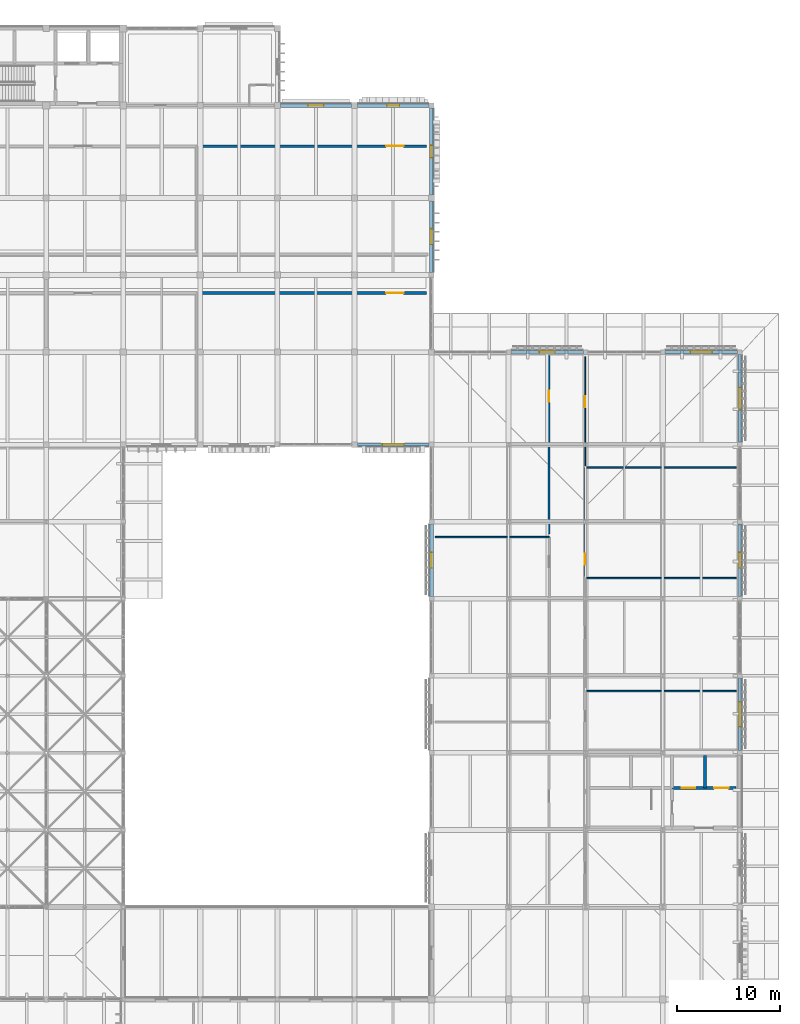
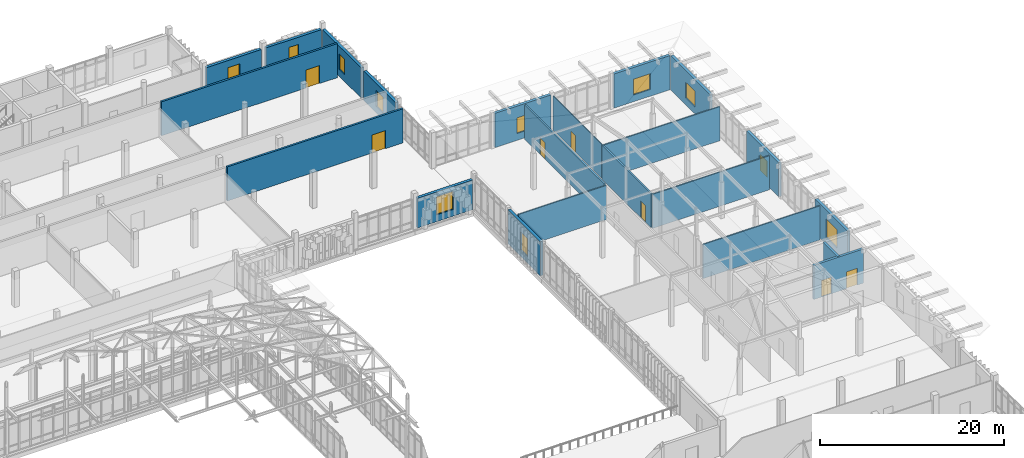
# One storey, part 109 of 131: 22 walls, 11 windows, 7 doors, 18 openings.
"""IFC4 building model written with IfcOpenShell, lengths in metres."""

from ifc_helpers import new_model, si_unit, direction, frame, frame_2d, origin, place, context, subcontext, project, spatial, rectangle, extrude, material, layer, layer_set, type_object, element, fill, save


model = new_model("IFC4")

# Units and contexts
model_context = context("Model", 3, precision=1e-05, world=origin(), true_north=direction((0.0, 1.0)))
body_context = subcontext(model_context, "Body", "Model", "MODEL_VIEW")
ifc_project = project(units=[si_unit("LENGTHUNIT", "METRE"), si_unit("AREAUNIT", "SQUARE_METRE"), si_unit("VOLUMEUNIT", "CUBIC_METRE"), si_unit("PLANEANGLEUNIT", "RADIAN"), si_unit("MASSUNIT", "GRAM", prefix="KILO")], contexts=[model_context])

# Site, building, storey
site_placement = place(None, origin())
site = spatial("IfcSite", under=ifc_project, at=site_placement, CompositionType="ELEMENT")
building_placement = place(site_placement, origin())
building = spatial("IfcBuilding", under=site, at=building_placement, Name="Dalvernix Boulevard General Hospital", CompositionType="ELEMENT")
storey_placement = place(building_placement, frame((0.0, 0.0, 9.300048828125)))
storey = spatial("IfcBuildingStorey", under=building, at=storey_placement, Name="L02", CompositionType="ELEMENT", Elevation=9.300048828125)

# Wall, openings, doors
ifc_material_1 = material(Name="Concrete C40/50", Category="concrete")
ifc_layer_1 = layer(ifc_material_1, 0.300048828125)
ifc_layer_set_1 = layer_set([ifc_layer_1], Name="Concrete C40/50 (WAL-CSW-02)")
wall_type_1 = type_object("IfcWallType", Name="WAL-CSW-02", PredefinedType="SHEAR", material=ifc_layer_set_1)
wall_1_placement = place(storey_placement, frame((165.89990234375, 43.10009765625, 0.0), z_axis=(0.0, 0.0, 1.0), x_axis=(1.0, 0.0, 0.0)))
wall_1 = element("IfcWall", 1, at=wall_1_placement, inside=storey, type_object=wall_type_1, Name="L02 C6 lift shaft front wall", PredefinedType="SHEAR", context=body_context, shape_type="SweptSolid", body=[
    extrude(rectangle(XDim=6.25, YDim=0.300048828125, at=frame_2d((3.125, 0.0))), origin(), (0.0, 0.0, 1.0), 4.550048828125),
])
opening_1_placement = place(wall_1_placement, frame((0.949951171875, 0.0, 0.0)))
opening_1 = element("IfcOpeningElement", 2, at=opening_1_placement, cuts=wall_1, Name="Opening LD-LF-06-L02", PredefinedType="OPENING", context=body_context, shape_type="SweptSolid", body=[
    extrude(rectangle(XDim=1.300048828125, YDim=2.199951171875, at=frame_2d((0.64990234375, 1.10009765625))), frame((0.0, 0.159912109375, 0.0), z_axis=(0.0, -1.0, 0.0), x_axis=(1.0, 0.0, 0.0)), (0.0, 0.0, 1.0), 0.320068359375),
])
opening_2_placement = place(wall_1_placement, frame((4.10009765625, 0.0, 0.0)))
opening_2 = element("IfcOpeningElement", 3, at=opening_2_placement, cuts=wall_1, Name="Opening LD-GL-02-L02", PredefinedType="OPENING", context=body_context, shape_type="SweptSolid", body=[
    extrude(rectangle(XDim=1.39990234375, YDim=2.25, at=frame_2d((0.699951171875, 1.125))), frame((0.0, 0.159912109375, 0.0), z_axis=(0.0, -1.0, 0.0), x_axis=(1.0, 0.0, 0.0)), (0.0, 0.0, 1.0), 0.320068359375),
])
ifc_material_2 = material(Name="Stainless-clad steel", Category="steel")
door_type_1 = type_object("IfcDoorType", Name="DR-LD-01", OperationType="DOUBLE_DOOR_SLIDING", PredefinedType="DOOR", material=ifc_material_2)
door_1_placement = place(opening_2_placement, origin())
door_1 = element("IfcDoor", 4, at=door_1_placement, inside=storey, type_object=door_type_1, Name="L02 Lift GL-02 sliding landing door", OperationType="DOUBLE_DOOR_SLIDING", OverallHeight=2.25, OverallWidth=1.39990234375, PredefinedType="DOOR", context=body_context, shape_type="SweptSolid", body=[
    extrude(rectangle(XDim=1.39990234375, YDim=2.25, at=frame_2d((0.699951171875, 1.125))), frame((0.0, 0.02490234375, 0.0), z_axis=(0.0, -1.0, 0.0), x_axis=(1.0, 0.0, 0.0)), (0.0, 0.0, 1.0), 0.050048828125),
])
fill(opening_2, door_1)
door_type_2 = type_object("IfcDoorType", Name="DR-LD-02", OperationType="DOUBLE_DOOR_SLIDING", PredefinedType="DOOR", material=ifc_material_2)
door_2_placement = place(opening_1_placement, origin())
door_2 = element("IfcDoor", 5, at=door_2_placement, inside=storey, type_object=door_type_2, Name="L02 Lift LF-06 sliding landing door", OperationType="DOUBLE_DOOR_SLIDING", OverallHeight=2.199951171875, OverallWidth=1.300048828125, PredefinedType="DOOR", context=body_context, shape_type="SweptSolid", body=[
    extrude(rectangle(XDim=1.300048828125, YDim=2.199951171875, at=frame_2d((0.64990234375, 1.10009765625))), frame((0.0, 0.02490234375, 0.0), z_axis=(0.0, -1.0, 0.0), x_axis=(1.0, 0.0, 0.0)), (0.0, 0.0, 1.0), 0.050048828125),
])
fill(opening_1, door_2)

# Wall
wall_2_placement = place(storey_placement, frame((169.10009765625, 43.10009765625, 0.0), z_axis=(0.0, 0.0, 1.0), x_axis=(0.0, 1.0, 0.0)))
element("IfcWall", 6, at=wall_2_placement, inside=storey, type_object=wall_type_1, Name="L02 C6 shaft divider L1", PredefinedType="SHEAR", context=body_context, shape_type="SweptSolid", body=[
    extrude(rectangle(XDim=3.14990234375, YDim=0.300048828125, at=frame_2d((1.574951171875, 0.0))), origin(), (0.0, 0.0, 1.0), 4.550048828125),
])

# Wall, opening, window
ifc_material_3 = material(Name="Pressed Catalan clay brick and insulated concrete cavity wall C35/45", Category="masonry")
ifc_layer_2 = layer(ifc_material_3, 0.35009765625)
ifc_layer_set_2 = layer_set([ifc_layer_2], Name="Pressed Catalan clay brick and insulated concrete cavity wall C35/45 (WAL-EW-01)")
wall_type_2 = type_object("IfcWallType", Name="WAL-EW-01", PredefinedType="STANDARD", material=ifc_layer_set_2)
wall_3_placement = place(storey_placement, frame((127.81005859375, 109.5, 0.0), z_axis=(0.0, 0.0, 1.0), x_axis=(1.0, 0.0, 0.0)))
wall_3 = element("IfcWall", 7, at=wall_3_placement, inside=storey, type_object=wall_type_2, Name="L02 Catalan brick external wall N 17-14", PredefinedType="STANDARD", context=body_context, shape_type="SweptSolid", body=[
    extrude(rectangle(XDim=6.8798828125, YDim=0.35009765625, at=frame_2d((3.43994140625, 0.0))), origin(), (0.0, 0.0, 1.0), 3.949951171875),
])
opening_3_placement = place(wall_3_placement, frame((2.68994140625, 0.0, 0.89990234375)))
opening_3 = element("IfcOpeningElement", 8, at=opening_3_placement, cuts=wall_3, Name="Opening WN-06", PredefinedType="OPENING", context=body_context, shape_type="SweptSolid", body=[
    extrude(rectangle(XDim=1.5, YDim=2.10009765625, at=frame_2d((0.75, 1.050048828125))), frame((0.0, 0.18505859375, 0.0), z_axis=(0.0, -1.0, 0.0), x_axis=(1.0, 0.0, 0.0)), (0.0, 0.0, 1.0), 0.3701171875),
])
ifc_material_4 = material(Name="Thermally broken aluminium frame with solar-control double glazing", Category="aluminium")
window_type_1 = type_object("IfcWindowType", Name="WIN-WN-06", PartitioningType="SINGLE_PANEL", PredefinedType="WINDOW", material=ifc_material_4)
window_1_placement = place(opening_3_placement, origin())
window_1 = element("IfcWindow", 9, at=window_1_placement, inside=storey, type_object=window_type_1, Name="L02 clinical window WN-06 N 17-14", OverallHeight=2.10009765625, OverallWidth=1.5, PartitioningType="SINGLE_PANEL", PredefinedType="WINDOW", context=body_context, shape_type="SweptSolid", body=[
    extrude(rectangle(XDim=1.5, YDim=2.10009765625, at=frame_2d((0.75, 1.050048828125))), frame((0.0, 0.030029296875, 0.0), z_axis=(0.0, -1.0, 0.0), x_axis=(1.0, 0.0, 0.0)), (0.0, 0.0, 1.0), 0.06005859375),
])
fill(opening_3, window_1)

wall_4_placement = place(storey_placement, frame((142.239990234375, 76.5, 0.0), z_axis=(0.0, 0.0, 1.0), x_axis=(-1.0, 0.0, 0.0)))
wall_4 = element("IfcWall", 10, at=wall_4_placement, inside=storey, type_object=wall_type_2, Name="L02 Catalan brick external wall S 18-10", PredefinedType="STANDARD", context=body_context, shape_type="SweptSolid", body=[
    extrude(rectangle(XDim=6.955078125, YDim=0.35009765625, at=frame_2d((3.4775390625, 0.0))), origin(), (0.0, 0.0, 1.0), 3.949951171875),
])
opening_4_placement = place(wall_4_placement, frame((2.427490234375, 0.0, 0.89990234375)))
opening_4 = element("IfcOpeningElement", 11, at=opening_4_placement, cuts=wall_4, Name="Opening WN-03", PredefinedType="OPENING", context=body_context, shape_type="SweptSolid", body=[
    extrude(rectangle(XDim=2.10009765625, YDim=2.39990234375, at=frame_2d((1.050048828125, 1.199951171875))), frame((0.0, 0.18505859375, 0.0), z_axis=(0.0, -1.0, 0.0), x_axis=(1.0, 0.0, 0.0)), (0.0, 0.0, 1.0), 0.3701171875),
])
window_type_2 = type_object("IfcWindowType", Name="WIN-WN-03", PartitioningType="SINGLE_PANEL", PredefinedType="WINDOW", material=ifc_material_4)
window_2_placement = place(opening_4_placement, origin())
window_2 = element("IfcWindow", 12, at=window_2_placement, inside=storey, type_object=window_type_2, Name="L02 clinical window WN-03 S 18-10", OverallHeight=2.39990234375, OverallWidth=2.10009765625, PartitioningType="SINGLE_PANEL", PredefinedType="WINDOW", context=body_context, shape_type="SweptSolid", body=[
    extrude(rectangle(XDim=2.10009765625, YDim=2.39990234375, at=frame_2d((1.050048828125, 1.199951171875))), frame((0.0, 0.030029296875, 0.0), z_axis=(0.0, -1.0, 0.0), x_axis=(1.0, 0.0, 0.0)), (0.0, 0.0, 1.0), 0.06005859375),
])
fill(opening_4, window_2)

wall_5_placement = place(storey_placement, frame((142.5, 100.215087890625, 0.0), z_axis=(0.0, 0.0, 1.0), x_axis=(0.0, -1.0, 0.0)))
wall_5 = element("IfcWall", 13, at=wall_5_placement, inside=storey, type_object=wall_type_2, Name="L02 Catalan brick external wall E 19-12", PredefinedType="STANDARD", context=body_context, shape_type="SweptSolid", body=[
    extrude(rectangle(XDim=6.955078125, YDim=0.35009765625, at=frame_2d((3.4775390625, 0.0))), origin(), (0.0, 0.0, 1.0), 3.949951171875),
])
opening_5_placement = place(wall_5_placement, frame((2.7275390625, 0.0, 0.89990234375)))
opening_5 = element("IfcOpeningElement", 14, at=opening_5_placement, cuts=wall_5, Name="Opening WN-06", PredefinedType="OPENING", context=body_context, shape_type="SweptSolid", body=[
    extrude(rectangle(XDim=1.5, YDim=2.10009765625, at=frame_2d((0.75, 1.050048828125))), frame((0.0, 0.18505859375, 0.0), z_axis=(0.0, -1.0, 0.0), x_axis=(1.0, 0.0, 0.0)), (0.0, 0.0, 1.0), 0.3701171875),
])
window_3_placement = place(opening_5_placement, origin())
window_3 = element("IfcWindow", 15, at=window_3_placement, inside=storey, type_object=window_type_1, Name="L02 clinical window WN-06 E 19-12", OverallHeight=2.10009765625, OverallWidth=1.5, PartitioningType="SINGLE_PANEL", PredefinedType="WINDOW", context=body_context, shape_type="SweptSolid", body=[
    extrude(rectangle(XDim=1.5, YDim=2.10009765625, at=frame_2d((0.75, 1.050048828125))), frame((0.0, 0.030029296875, 0.0), z_axis=(0.0, -1.0, 0.0), x_axis=(1.0, 0.0, 0.0)), (0.0, 0.0, 1.0), 0.06005859375),
])
fill(opening_5, window_3)

wall_6_placement = place(storey_placement, frame((135.31005859375, 109.5, 0.0), z_axis=(0.0, 0.0, 1.0), x_axis=(1.0, 0.0, 0.0)))
wall_6 = element("IfcWall", 16, at=wall_6_placement, inside=storey, type_object=wall_type_2, Name="L02 Catalan brick external wall N 18-14", PredefinedType="STANDARD", context=body_context, shape_type="SweptSolid", body=[
    extrude(rectangle(XDim=6.929931640625, YDim=0.35009765625, at=frame_2d((3.46484375, 0.0))), origin(), (0.0, 0.0, 1.0), 3.949951171875),
])
opening_6_placement = place(wall_6_placement, frame((2.864990234375, 0.0, 0.89990234375)))
opening_6 = element("IfcOpeningElement", 17, at=opening_6_placement, cuts=wall_6, Name="Opening WN-07", PredefinedType="OPENING", context=body_context, shape_type="SweptSolid", body=[
    extrude(rectangle(XDim=1.199951171875, YDim=2.10009765625, at=frame_2d((0.60009765625, 1.050048828125))), frame((0.0, 0.18505859375, 0.0), z_axis=(0.0, -1.0, 0.0), x_axis=(1.0, 0.0, 0.0)), (0.0, 0.0, 1.0), 0.3701171875),
])
window_type_3 = type_object("IfcWindowType", Name="WIN-WN-07", PartitioningType="SINGLE_PANEL", PredefinedType="WINDOW", material=ifc_material_4)
window_4_placement = place(opening_6_placement, origin())
window_4 = element("IfcWindow", 18, at=window_4_placement, inside=storey, type_object=window_type_3, Name="L02 clinical window WN-07 N 18-14", OverallHeight=2.10009765625, OverallWidth=1.199951171875, PartitioningType="SINGLE_PANEL", PredefinedType="WINDOW", context=body_context, shape_type="SweptSolid", body=[
    extrude(rectangle(XDim=1.199951171875, YDim=2.10009765625, at=frame_2d((0.60009765625, 1.050048828125))), frame((0.0, 0.030029296875, 0.0), z_axis=(0.0, -1.0, 0.0), x_axis=(1.0, 0.0, 0.0)), (0.0, 0.0, 1.0), 0.06005859375),
])
fill(opening_6, window_4)

wall_7_placement = place(storey_placement, frame((142.5, 109.239990234375, 0.0), z_axis=(0.0, 0.0, 1.0), x_axis=(0.0, -1.0, 0.0)))
wall_7 = element("IfcWall", 19, at=wall_7_placement, inside=storey, type_object=wall_type_2, Name="L02 Catalan brick external wall E 19-13", PredefinedType="STANDARD", context=body_context, shape_type="SweptSolid", body=[
    extrude(rectangle(XDim=8.455078125, YDim=0.35009765625, at=frame_2d((4.2275390625, 0.0))), origin(), (0.0, 0.0, 1.0), 4.0),
])
opening_7_placement = place(wall_7_placement, frame((3.62744140625, 0.0, 0.89990234375)))
opening_7 = element("IfcOpeningElement", 20, at=opening_7_placement, cuts=wall_7, Name="Opening WN-07", PredefinedType="OPENING", context=body_context, shape_type="SweptSolid", body=[
    extrude(rectangle(XDim=1.199951171875, YDim=2.10009765625, at=frame_2d((0.60009765625, 1.050048828125))), frame((0.0, 0.18505859375, 0.0), z_axis=(0.0, -1.0, 0.0), x_axis=(1.0, 0.0, 0.0)), (0.0, 0.0, 1.0), 0.3701171875),
])
window_5_placement = place(opening_7_placement, origin())
window_5 = element("IfcWindow", 21, at=window_5_placement, inside=storey, type_object=window_type_3, Name="L02 clinical window WN-07 E 19-13", OverallHeight=2.10009765625, OverallWidth=1.199951171875, PartitioningType="SINGLE_PANEL", PredefinedType="WINDOW", context=body_context, shape_type="SweptSolid", body=[
    extrude(rectangle(XDim=1.199951171875, YDim=2.10009765625, at=frame_2d((0.60009765625, 1.050048828125))), frame((0.0, 0.030029296875, 0.0), z_axis=(0.0, -1.0, 0.0), x_axis=(1.0, 0.0, 0.0)), (0.0, 0.0, 1.0), 0.06005859375),
])
fill(opening_7, window_5)

wall_8_placement = place(storey_placement, frame((142.5, 61.735107421875, 0.0), z_axis=(0.0, 0.0, 1.0), x_axis=(0.0, 1.0, 0.0)))
wall_8 = element("IfcWall", 22, at=wall_8_placement, inside=storey, type_object=wall_type_2, Name="L02 Catalan brick external wall W 19-8", PredefinedType="STANDARD", context=body_context, shape_type="SweptSolid", body=[
    extrude(rectangle(XDim=7.02978515625, YDim=0.35009765625, at=frame_2d((3.514892578125, 0.0))), origin(), (0.0, 0.0, 1.0), 4.550048828125),
])
opening_8_placement = place(wall_8_placement, frame((2.764892578125, 0.0, 0.89990234375)))
opening_8 = element("IfcOpeningElement", 23, at=opening_8_placement, cuts=wall_8, Name="Opening WN-02", PredefinedType="OPENING", context=body_context, shape_type="SweptSolid", body=[
    extrude(rectangle(XDim=1.5, YDim=2.39990234375, at=frame_2d((0.75, 1.199951171875))), frame((0.0, 0.18505859375, 0.0), z_axis=(0.0, -1.0, 0.0), x_axis=(1.0, 0.0, 0.0)), (0.0, 0.0, 1.0), 0.3701171875),
])
window_type_4 = type_object("IfcWindowType", Name="WIN-WN-02", PartitioningType="SINGLE_PANEL", PredefinedType="WINDOW", material=ifc_material_4)
window_6_placement = place(opening_8_placement, origin())
window_6 = element("IfcWindow", 24, at=window_6_placement, inside=storey, type_object=window_type_4, Name="L02 clinical window WN-02 W 19-8", OverallHeight=2.39990234375, OverallWidth=1.5, PartitioningType="SINGLE_PANEL", PredefinedType="WINDOW", context=body_context, shape_type="SweptSolid", body=[
    extrude(rectangle(XDim=1.5, YDim=2.39990234375, at=frame_2d((0.75, 1.199951171875))), frame((0.0, 0.030029296875, 0.0), z_axis=(0.0, -1.0, 0.0), x_axis=(1.0, 0.0, 0.0)), (0.0, 0.0, 1.0), 0.06005859375),
])
fill(opening_8, window_6)

wall_9_placement = place(storey_placement, frame((150.235107421875, 85.5, 0.0), z_axis=(0.0, 0.0, 1.0), x_axis=(1.0, 0.0, 0.0)))
wall_9 = element("IfcWall", 25, at=wall_9_placement, inside=storey, type_object=wall_type_2, Name="L02 Catalan brick external wall N 20-11", PredefinedType="STANDARD", context=body_context, shape_type="SweptSolid", body=[
    extrude(rectangle(XDim=7.02978515625, YDim=0.35009765625, at=frame_2d((3.514892578125, 0.0))), origin(), (0.0, 0.0, 1.0), 4.550048828125),
])
opening_9_placement = place(wall_9_placement, frame((2.764892578125, 0.0, 0.89990234375)))
opening_9 = element("IfcOpeningElement", 26, at=opening_9_placement, cuts=wall_9, Name="Opening WN-06", PredefinedType="OPENING", context=body_context, shape_type="SweptSolid", body=[
    extrude(rectangle(XDim=1.5, YDim=2.10009765625, at=frame_2d((0.75, 1.050048828125))), frame((0.0, 0.18505859375, 0.0), z_axis=(0.0, -1.0, 0.0), x_axis=(1.0, 0.0, 0.0)), (0.0, 0.0, 1.0), 0.3701171875),
])
window_7_placement = place(opening_9_placement, origin())
window_7 = element("IfcWindow", 27, at=window_7_placement, inside=storey, type_object=window_type_1, Name="L02 clinical window WN-06 N 20-11", OverallHeight=2.10009765625, OverallWidth=1.5, PartitioningType="SINGLE_PANEL", PredefinedType="WINDOW", context=body_context, shape_type="SweptSolid", body=[
    extrude(rectangle(XDim=1.5, YDim=2.10009765625, at=frame_2d((0.75, 1.050048828125))), frame((0.0, 0.030029296875, 0.0), z_axis=(0.0, -1.0, 0.0), x_axis=(1.0, 0.0, 0.0)), (0.0, 0.0, 1.0), 0.06005859375),
])
fill(opening_9, window_7)

wall_10_placement = place(storey_placement, frame((172.5, 53.764892578125, 0.0), z_axis=(0.0, 0.0, 1.0), x_axis=(0.0, -1.0, 0.0)))
wall_10 = element("IfcWall", 28, at=wall_10_placement, inside=storey, type_object=wall_type_2, Name="L02 Catalan brick external wall E 23-6", PredefinedType="STANDARD", context=body_context, shape_type="SweptSolid", body=[
    extrude(rectangle(XDim=7.02978515625, YDim=0.35009765625, at=frame_2d((3.514892578125, 0.0))), origin(), (0.0, 0.0, 1.0), 4.550048828125),
])
opening_10_placement = place(wall_10_placement, frame((2.31494140625, 0.0, 0.89990234375)))
opening_10 = element("IfcOpeningElement", 29, at=opening_10_placement, cuts=wall_10, Name="Opening WN-04", PredefinedType="OPENING", context=body_context, shape_type="SweptSolid", body=[
    extrude(rectangle(XDim=2.39990234375, YDim=2.5, at=frame_2d((1.199951171875, 1.25))), frame((0.0, 0.18505859375, 0.0), z_axis=(0.0, -1.0, 0.0), x_axis=(1.0, 0.0, 0.0)), (0.0, 0.0, 1.0), 0.3701171875),
])
window_type_5 = type_object("IfcWindowType", Name="WIN-WN-04", PartitioningType="SINGLE_PANEL", PredefinedType="WINDOW", material=ifc_material_4)
window_8_placement = place(opening_10_placement, origin())
window_8 = element("IfcWindow", 30, at=window_8_placement, inside=storey, type_object=window_type_5, Name="L02 clinical window WN-04 E 23-6", OverallHeight=2.5, OverallWidth=2.39990234375, PartitioningType="SINGLE_PANEL", PredefinedType="WINDOW", context=body_context, shape_type="SweptSolid", body=[
    extrude(rectangle(XDim=2.39990234375, YDim=2.5, at=frame_2d((1.199951171875, 1.25))), frame((0.0, 0.030029296875, 0.0), z_axis=(0.0, -1.0, 0.0), x_axis=(1.0, 0.0, 0.0)), (0.0, 0.0, 1.0), 0.06005859375),
])
fill(opening_10, window_8)

wall_11_placement = place(storey_placement, frame((172.5, 68.764892578125, 0.0), z_axis=(0.0, 0.0, 1.0), x_axis=(0.0, -1.0, 0.0)))
wall_11 = element("IfcWall", 31, at=wall_11_placement, inside=storey, type_object=wall_type_2, Name="L02 Catalan brick external wall E 23-8", PredefinedType="STANDARD", context=body_context, shape_type="SweptSolid", body=[
    extrude(rectangle(XDim=7.02978515625, YDim=0.35009765625, at=frame_2d((3.514892578125, 0.0))), origin(), (0.0, 0.0, 1.0), 4.550048828125),
])
opening_11_placement = place(wall_11_placement, frame((2.764892578125, 0.0, 0.89990234375)))
opening_11 = element("IfcOpeningElement", 32, at=opening_11_placement, cuts=wall_11, Name="Opening WN-06", PredefinedType="OPENING", context=body_context, shape_type="SweptSolid", body=[
    extrude(rectangle(XDim=1.5, YDim=2.10009765625, at=frame_2d((0.75, 1.050048828125))), frame((0.0, 0.18505859375, 0.0), z_axis=(0.0, -1.0, 0.0), x_axis=(1.0, 0.0, 0.0)), (0.0, 0.0, 1.0), 0.3701171875),
])
window_9_placement = place(opening_11_placement, origin())
window_9 = element("IfcWindow", 33, at=window_9_placement, inside=storey, type_object=window_type_1, Name="L02 clinical window WN-06 E 23-8", OverallHeight=2.10009765625, OverallWidth=1.5, PartitioningType="SINGLE_PANEL", PredefinedType="WINDOW", context=body_context, shape_type="SweptSolid", body=[
    extrude(rectangle(XDim=1.5, YDim=2.10009765625, at=frame_2d((0.75, 1.050048828125))), frame((0.0, 0.030029296875, 0.0), z_axis=(0.0, -1.0, 0.0), x_axis=(1.0, 0.0, 0.0)), (0.0, 0.0, 1.0), 0.06005859375),
])
fill(opening_11, window_9)

wall_12_placement = place(storey_placement, frame((165.235107421875, 85.5, 0.0), z_axis=(0.0, 0.0, 1.0), x_axis=(1.0, 0.0, 0.0)))
wall_12 = element("IfcWall", 34, at=wall_12_placement, inside=storey, type_object=wall_type_2, Name="L02 Catalan brick external wall N 22-11", PredefinedType="STANDARD", context=body_context, shape_type="SweptSolid", body=[
    extrude(rectangle(XDim=7.02978515625, YDim=0.35009765625, at=frame_2d((3.514892578125, 0.0))), origin(), (0.0, 0.0, 1.0), 4.550048828125),
])
opening_12_placement = place(wall_12_placement, frame((2.465087890625, 0.0, 0.89990234375)))
opening_12 = element("IfcOpeningElement", 35, at=opening_12_placement, cuts=wall_12, Name="Opening WN-08", PredefinedType="OPENING", context=body_context, shape_type="SweptSolid", body=[
    extrude(rectangle(XDim=2.10009765625, YDim=2.10009765625, at=frame_2d((1.050048828125, 1.050048828125))), frame((0.0, 0.18505859375, 0.0), z_axis=(0.0, -1.0, 0.0), x_axis=(1.0, 0.0, 0.0)), (0.0, 0.0, 1.0), 0.3701171875),
])
window_type_6 = type_object("IfcWindowType", Name="WIN-WN-08", PartitioningType="SINGLE_PANEL", PredefinedType="WINDOW", material=ifc_material_4)
window_10_placement = place(opening_12_placement, origin())
window_10 = element("IfcWindow", 36, at=window_10_placement, inside=storey, type_object=window_type_6, Name="L02 clinical window WN-08 N 22-11", OverallHeight=2.10009765625, OverallWidth=2.10009765625, PartitioningType="SINGLE_PANEL", PredefinedType="WINDOW", context=body_context, shape_type="SweptSolid", body=[
    extrude(rectangle(XDim=2.10009765625, YDim=2.10009765625, at=frame_2d((1.050048828125, 1.050048828125))), frame((0.0, 0.030029296875, 0.0), z_axis=(0.0, -1.0, 0.0), x_axis=(1.0, 0.0, 0.0)), (0.0, 0.0, 1.0), 0.06005859375),
])
fill(opening_12, window_10)

wall_13_placement = place(storey_placement, frame((172.5, 85.264892578125, 0.0), z_axis=(0.0, 0.0, 1.0), x_axis=(0.0, -1.0, 0.0)))
wall_13 = element("IfcWall", 37, at=wall_13_placement, inside=storey, type_object=wall_type_2, Name="L02 Catalan brick external wall E 23-10", PredefinedType="STANDARD", context=body_context, shape_type="SweptSolid", body=[
    extrude(rectangle(XDim=8.52978515625, YDim=0.35009765625, at=frame_2d((4.264892578125, 0.0))), origin(), (0.0, 0.0, 1.0), 4.550048828125),
])
opening_13_placement = place(wall_13_placement, frame((3.215087890625, 0.0, 0.89990234375)))
opening_13 = element("IfcOpeningElement", 38, at=opening_13_placement, cuts=wall_13, Name="Opening WN-08", PredefinedType="OPENING", context=body_context, shape_type="SweptSolid", body=[
    extrude(rectangle(XDim=2.10009765625, YDim=2.10009765625, at=frame_2d((1.050048828125, 1.050048828125))), frame((0.0, 0.18505859375, 0.0), z_axis=(0.0, -1.0, 0.0), x_axis=(1.0, 0.0, 0.0)), (0.0, 0.0, 1.0), 0.3701171875),
])
window_11_placement = place(opening_13_placement, origin())
window_11 = element("IfcWindow", 39, at=window_11_placement, inside=storey, type_object=window_type_6, Name="L02 clinical window WN-08 E 23-10", OverallHeight=2.10009765625, OverallWidth=2.10009765625, PartitioningType="SINGLE_PANEL", PredefinedType="WINDOW", context=body_context, shape_type="SweptSolid", body=[
    extrude(rectangle(XDim=2.10009765625, YDim=2.10009765625, at=frame_2d((1.050048828125, 1.050048828125))), frame((0.0, 0.030029296875, 0.0), z_axis=(0.0, -1.0, 0.0), x_axis=(1.0, 0.0, 0.0)), (0.0, 0.0, 1.0), 0.06005859375),
])
fill(opening_13, window_11)

# Wall, opening, door
ifc_material_5 = material(Name="Acoustic fire-rated masonry clinical wall", Category="masonry")
ifc_layer_3 = layer(ifc_material_5, 0.25)
ifc_layer_set_3 = layer_set([ifc_layer_3], Name="Acoustic fire-rated masonry clinical wall (WAL-IW-01)")
wall_type_3 = type_object("IfcWallType", Name="WAL-IW-01", PredefinedType="STANDARD", material=ifc_layer_set_3)
wall_14_placement = place(storey_placement, frame((142.030029296875, 105.550048828125, 0.0), z_axis=(0.0, 0.0, 1.0), x_axis=(-1.0, 0.0, 0.0)))
wall_14 = element("IfcWall", 40, at=wall_14_placement, inside=storey, type_object=wall_type_3, Name="L02 Operating Theatre 05 corridor wall", PredefinedType="STANDARD", context=body_context, shape_type="SweptSolid", body=[
    extrude(rectangle(XDim=22.1201171875, YDim=0.25, at=frame_2d((11.06005859375, 0.0))), origin(), (0.0, 0.0, 1.0), 4.534912109375),
])
opening_14_placement = place(wall_14_placement, frame((2.241943359375, 0.0, 0.0)))
opening_14 = element("IfcOpeningElement", 41, at=opening_14_placement, cuts=wall_14, Name="Opening ID-09", PredefinedType="OPENING", context=body_context, shape_type="SweptSolid", body=[
    extrude(rectangle(XDim=1.699951171875, YDim=2.39990234375, at=frame_2d((0.85009765625, 1.199951171875))), frame((0.0, 0.135009765625, 0.0), z_axis=(0.0, -1.0, 0.0), x_axis=(1.0, 0.0, 0.0)), (0.0, 0.0, 1.0), 0.27001953125),
])
door_type_3 = type_object("IfcDoorType", Name="DR-ID-09", OperationType="DOUBLE_DOOR_SLIDING", PredefinedType="DOOR", material=ifc_material_2)
door_3_placement = place(opening_14_placement, origin())
door_3 = element("IfcDoor", 42, at=door_3_placement, inside=storey, type_object=door_type_3, Name="L02 Operating Theatre 05 door", OperationType="DOUBLE_DOOR_SLIDING", OverallHeight=2.39990234375, OverallWidth=1.699951171875, PredefinedType="DOOR", context=body_context, shape_type="SweptSolid", body=[
    extrude(rectangle(XDim=1.699951171875, YDim=2.39990234375, at=frame_2d((0.85009765625, 1.199951171875))), frame((0.0, 0.02490234375, 0.0), z_axis=(0.0, -1.0, 0.0), x_axis=(1.0, 0.0, 0.0)), (0.0, 0.0, 1.0), 0.050048828125),
])
fill(opening_14, door_3)

wall_15_placement = place(storey_placement, frame((142.030029296875, 91.25, 0.0), z_axis=(0.0, 0.0, 1.0), x_axis=(-1.0, 0.0, 0.0)))
wall_15 = element("IfcWall", 43, at=wall_15_placement, inside=storey, type_object=wall_type_3, Name="L02 Operating Theatre 10 corridor wall", PredefinedType="STANDARD", context=body_context, shape_type="SweptSolid", body=[
    extrude(rectangle(XDim=22.1201171875, YDim=0.25, at=frame_2d((11.06005859375, 0.0))), origin(), (0.0, 0.0, 1.0), 4.534912109375),
])
opening_15_placement = place(wall_15_placement, frame((2.241943359375, 0.0, 0.0)))
opening_15 = element("IfcOpeningElement", 44, at=opening_15_placement, cuts=wall_15, Name="Opening ID-09", PredefinedType="OPENING", context=body_context, shape_type="SweptSolid", body=[
    extrude(rectangle(XDim=1.699951171875, YDim=2.39990234375, at=frame_2d((0.85009765625, 1.199951171875))), frame((0.0, 0.135009765625, 0.0), z_axis=(0.0, -1.0, 0.0), x_axis=(1.0, 0.0, 0.0)), (0.0, 0.0, 1.0), 0.27001953125),
])
door_4_placement = place(opening_15_placement, origin())
door_4 = element("IfcDoor", 45, at=door_4_placement, inside=storey, type_object=door_type_3, Name="L02 Operating Theatre 10 door", OperationType="DOUBLE_DOOR_SLIDING", OverallHeight=2.39990234375, OverallWidth=1.699951171875, PredefinedType="DOOR", context=body_context, shape_type="SweptSolid", body=[
    extrude(rectangle(XDim=1.699951171875, YDim=2.39990234375, at=frame_2d((0.85009765625, 1.199951171875))), frame((0.0, 0.02490234375, 0.0), z_axis=(0.0, -1.0, 0.0), x_axis=(1.0, 0.0, 0.0)), (0.0, 0.0, 1.0), 0.050048828125),
])
fill(opening_15, door_4)

ifc_material_6 = material(Name="Fire-compartment corridor masonry wall", Category="masonry")
ifc_layer_4 = layer(ifc_material_6, 0.199951171875)
ifc_layer_set_4 = layer_set([ifc_layer_4], Name="Fire-compartment corridor masonry wall (WAL-IW-02)")
wall_type_4 = type_object("IfcWallType", Name="WAL-IW-02", PredefinedType="STANDARD", material=ifc_layer_set_4)
wall_16_placement = place(storey_placement, frame((153.949951171875, 67.800048828125, 0.0), z_axis=(0.0, 0.0, 1.0), x_axis=(0.0, 1.0, 0.0)))
wall_16 = element("IfcWall", 46, at=wall_16_placement, inside=storey, type_object=wall_type_4, Name="L02 Day Surgery Post-Anaesthesia Recovery Ward corridor wall", PredefinedType="STANDARD", context=body_context, shape_type="SweptSolid", body=[
    extrude(rectangle(XDim=17.349853515625, YDim=0.199951171875, at=frame_2d((8.6748046875, 0.0))), origin(), (0.0, 0.0, 1.0), 4.534912109375),
])
opening_16_placement = place(wall_16_placement, frame((12.889892578125, 0.0, 0.0)))
opening_16 = element("IfcOpeningElement", 47, at=opening_16_placement, cuts=wall_16, Name="Opening ID-07", PredefinedType="OPENING", context=body_context, shape_type="SweptSolid", body=[
    extrude(rectangle(XDim=1.050048828125, YDim=2.199951171875, at=frame_2d((0.52490234375, 1.10009765625))), frame((0.0, 0.10986328125, 0.0), z_axis=(0.0, -1.0, 0.0), x_axis=(1.0, 0.0, 0.0)), (0.0, 0.0, 1.0), 0.219970703125),
])
ifc_material_7 = material(Name="Hospital laminate acoustic timber and steel frame", Category="steel")
door_type_4 = type_object("IfcDoorType", Name="DR-ID-07", OperationType="NOTDEFINED", PredefinedType="DOOR", material=ifc_material_7)
door_5_placement = place(opening_16_placement, origin())
door_5 = element("IfcDoor", 48, at=door_5_placement, inside=storey, type_object=door_type_4, Name="L02 Day Surgery Post-Anaesthesia Recovery Ward door", OperationType="SINGLE_SWING_RIGHT", OverallHeight=2.199951171875, OverallWidth=1.050048828125, PredefinedType="DOOR", context=body_context, shape_type="SweptSolid", body=[
    extrude(rectangle(XDim=1.050048828125, YDim=2.199951171875, at=frame_2d((0.52490234375, 1.10009765625))), frame((0.0, 0.02490234375, 0.0), z_axis=(0.0, -1.0, 0.0), x_axis=(1.0, 0.0, 0.0)), (0.0, 0.0, 1.0), 0.050048828125),
])
fill(opening_16, door_5)

wall_17_placement = place(storey_placement, frame((157.449951171875, 74.28662109375, 0.0), z_axis=(0.0, 0.0, 1.0), x_axis=(0.0, -1.0, 0.0)))
wall_17 = element("IfcWall", 49, at=wall_17_placement, inside=storey, type_object=wall_type_4, Name="L02 Outpatient Treatment Room L02-2 corridor wall", PredefinedType="STANDARD", context=body_context, shape_type="SweptSolid", body=[
    extrude(rectangle(XDim=10.623291015625, YDim=0.199951171875, at=frame_2d((5.3115234375, 0.0))), origin(), (0.0, 0.0, 1.0), 4.534912109375),
])
opening_17_placement = place(wall_17_placement, frame((8.416015625, 0.0, 0.0)))
opening_17 = element("IfcOpeningElement", 50, at=opening_17_placement, cuts=wall_17, Name="Opening ID-07", PredefinedType="OPENING", context=body_context, shape_type="SweptSolid", body=[
    extrude(rectangle(XDim=1.050048828125, YDim=2.199951171875, at=frame_2d((0.52490234375, 1.10009765625))), frame((0.0, 0.10986328125, 0.0), z_axis=(0.0, -1.0, 0.0), x_axis=(1.0, 0.0, 0.0)), (0.0, 0.0, 1.0), 0.219970703125),
])
door_6_placement = place(opening_17_placement, origin())
door_6 = element("IfcDoor", 51, at=door_6_placement, inside=storey, type_object=door_type_4, Name="L02 Outpatient Treatment Room L02-2 door", OperationType="SINGLE_SWING_RIGHT", OverallHeight=2.199951171875, OverallWidth=1.050048828125, PredefinedType="DOOR", context=body_context, shape_type="SweptSolid", body=[
    extrude(rectangle(XDim=1.050048828125, YDim=2.199951171875, at=frame_2d((0.52490234375, 1.10009765625))), frame((0.0, 0.02490234375, 0.0), z_axis=(0.0, -1.0, 0.0), x_axis=(1.0, 0.0, 0.0)), (0.0, 0.0, 1.0), 0.050048828125),
])
fill(opening_17, door_6)

# Walls
ifc_material_8 = material(Name="Acoustic double-stud gypsum inpatient partition")
ifc_layer_5 = layer(ifc_material_8, 0.14990234375)
ifc_layer_set_5 = layer_set([ifc_layer_5], Name="Acoustic double-stud gypsum inpatient partition (WAL-IW-04)")
wall_type_5 = type_object("IfcWallType", Name="WAL-IW-04", PredefinedType="PARTITIONING", material=ifc_layer_set_5)
wall_18_placement = place(storey_placement, frame((142.85009765625, 67.5, 0.0), z_axis=(0.0, 0.0, 1.0), x_axis=(1.0, 0.0, 0.0)))
element("IfcWall", 52, at=wall_18_placement, inside=storey, type_object=wall_type_5, Name="L02 Interventional Angiography Suite partition", PredefinedType="PARTITIONING", context=body_context, shape_type="SweptSolid", body=[
    extrude(rectangle(XDim=11.099853515625, YDim=0.14990234375, at=frame_2d((5.5498046875, 0.0))), origin(), (0.0, 0.0, 1.0), 4.534912109375),
])
for number, where, z_axis, x_axis, name in (
    (53, (157.449951171875, 52.5, 0.0), (0.0, 0.0, 1.0), (1.0, 0.0, 0.0), "L02 Accessible Public WC L02 East partition"),
    (54, (157.449951171875, 63.50341796875, 0.0), (0.0, 0.0, 1.0), (1.0, 0.0, 0.0), "L02 Outpatient Treatment Room L02-1 partition"),
    (55, (157.449951171875, 74.28662109375, 0.0), (0.0, 0.0, 1.0), (1.0, 0.0, 0.0), "L02 Outpatient Treatment Room L02-2 partition"),
):
    element("IfcWall", number, at=place(storey_placement, frame(where, z_axis=z_axis, x_axis=x_axis)), inside=storey, type_object=wall_type_5, Name=name, PredefinedType="PARTITIONING", context=body_context, shape_type="SweptSolid", body=[
        extrude(rectangle(XDim=14.699951171875, YDim=0.14990234375, at=frame_2d((7.35009765625, 0.0))), origin(), (0.0, 0.0, 1.0), 4.534912109375),
    ])

# Wall, opening, door
ifc_material_9 = material(Name="Fire-resisting clinical sub-partition")
ifc_layer_6 = layer(ifc_material_9, 0.10009765625)
ifc_layer_set_6 = layer_set([ifc_layer_6], Name="Fire-resisting clinical sub-partition (WAL-IW-06)")
wall_type_6 = type_object("IfcWallType", Name="WAL-IW-06", PredefinedType="PARTITIONING", material=ifc_layer_set_6)
wall_19_placement = place(storey_placement, frame((157.449951171875, 85.070068359375, 0.0), z_axis=(0.0, 0.0, 1.0), x_axis=(0.0, -1.0, 0.0)))
wall_19 = element("IfcWall", 56, at=wall_19_placement, inside=storey, type_object=wall_type_6, Name="L02 Outpatient Treatment Room L02-3 corridor wall", PredefinedType="PARTITIONING", context=body_context, shape_type="SweptSolid", body=[
    extrude(rectangle(XDim=10.623291015625, YDim=0.10009765625, at=frame_2d((5.3115234375, 0.0))), origin(), (0.0, 0.0, 1.0), 4.534912109375),
])
opening_18_placement = place(wall_19_placement, frame((3.87939453125, 0.0, 0.0)))
opening_18 = element("IfcOpeningElement", 57, at=opening_18_placement, cuts=wall_19, Name="Opening ID-07", PredefinedType="OPENING", context=body_context, shape_type="SweptSolid", body=[
    extrude(rectangle(XDim=1.050048828125, YDim=2.199951171875, at=frame_2d((0.52490234375, 1.10009765625))), frame((0.0, 0.06005859375, 0.0), z_axis=(0.0, -1.0, 0.0), x_axis=(1.0, 0.0, 0.0)), (0.0, 0.0, 1.0), 0.1201171875),
])
door_7_placement = place(opening_18_placement, origin())
door_7 = element("IfcDoor", 58, at=door_7_placement, inside=storey, type_object=door_type_4, Name="L02 Outpatient Treatment Room L02-3 door", OperationType="SINGLE_SWING_LEFT", OverallHeight=2.199951171875, OverallWidth=1.050048828125, PredefinedType="DOOR", context=body_context, shape_type="SweptSolid", body=[
    extrude(rectangle(XDim=1.050048828125, YDim=2.199951171875, at=frame_2d((0.52490234375, 1.10009765625))), frame((0.0, 0.02490234375, 0.0), z_axis=(0.0, -1.0, 0.0), x_axis=(1.0, 0.0, 0.0)), (0.0, 0.0, 1.0), 0.050048828125),
])
fill(opening_18, door_7)

save(model, "model.ifc")
